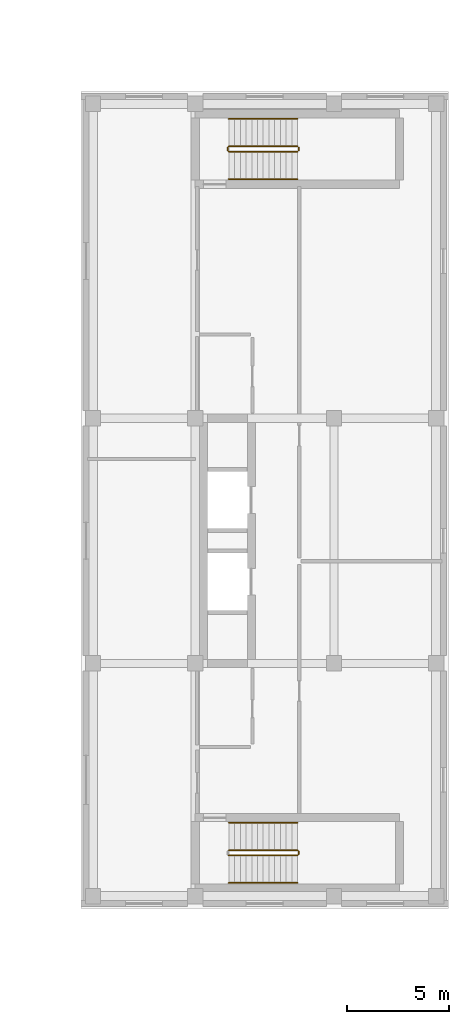
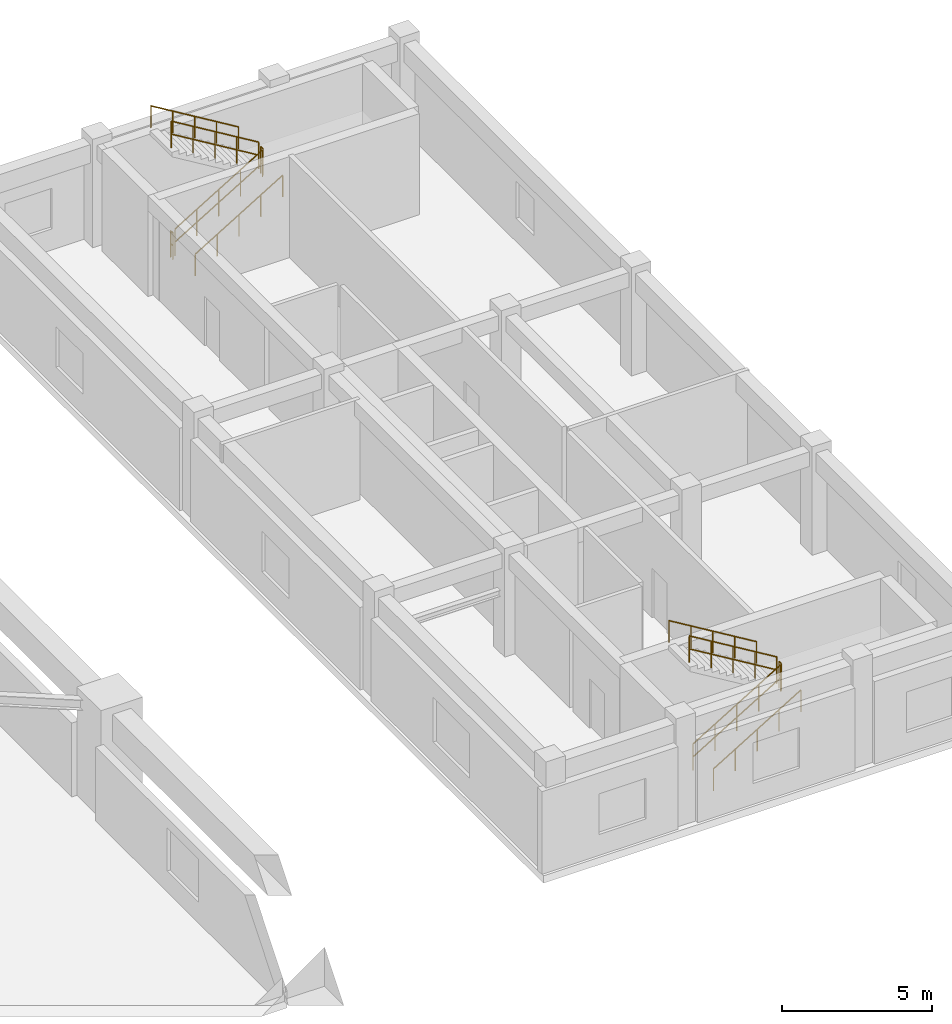
# One storey, part 16 of 16: 11 railings.
"""IFC4 building model written with IfcOpenShell, lengths in metres."""

from ifc_helpers import new_model, si_unit, direction, frame, origin, origin_2d, place, context, subcontext, project, spatial, circle, extrude, material, type_object, element, save


model = new_model("IFC4")

# Units and contexts
model_context = context("Model", 3, precision=1e-05, world=origin(), true_north=direction((0.0, 1.0)))
body_context = subcontext(model_context, "Body", "Model", "MODEL_VIEW")
ifc_project = project(units=[si_unit("LENGTHUNIT", "METRE"), si_unit("AREAUNIT", "SQUARE_METRE"), si_unit("VOLUMEUNIT", "CUBIC_METRE"), si_unit("PLANEANGLEUNIT", "RADIAN"), si_unit("MASSUNIT", "GRAM", prefix="KILO")], contexts=[model_context])

# Site, building, storey
site_placement = place(None, origin())
site = spatial("IfcSite", under=ifc_project, at=site_placement, CompositionType="ELEMENT")
building_placement = place(site_placement, origin())
building = spatial("IfcBuilding", under=site, at=building_placement, Name="Veraguas Prism Commons", CompositionType="ELEMENT")
storey_placement = place(building_placement, frame((0.0, 0.0, 9.60009765625)))
storey = spatial("IfcBuildingStorey", under=building, at=storey_placement, Name="L02", CompositionType="ELEMENT", Elevation=9.60009765625)

# Railings
ifc_material = material(Name="Stainless steel AISI 316", Category="steel")
railing_type_1 = type_object("IfcRailingType", Name="Stair and Ramp Stainless Handrail 900", PredefinedType="HANDRAIL", material=ifc_material)
railing_1_placement = place(storey_placement, frame((64.25, 5.25, 0.169189453125)))
element("IfcRailing", 1, at=railing_1_placement, inside=storey, type_object=railing_type_1, Name="Stair Handrail ST-H1 L02-1", PredefinedType="HANDRAIL", context=body_context, shape_type="SweptSolid", body=[
    extrude(circle(Radius=0.02392578125, at=origin_2d()), frame((0.0, 0.0, 0.8759765625), z_axis=(0.855836976705, 0.0, 0.517245656632), x_axis=(0.0, 1.0, 0.0)), (0.0, 0.0, 1.0), 3.926025390625),
    extrude(circle(Radius=0.02099609375, at=origin_2d()), origin(), (0.0, 0.0, 1.0), 0.851806640625),
    extrude(circle(Radius=0.02099609375, at=origin_2d()), frame((0.840087890625, 0.0, 0.5078125)), (0.0, 0.0, 1.0), 0.851806640625),
    extrude(circle(Radius=0.02099609375, at=origin_2d()), frame((1.68017578125, 0.0, 1.015380859375)), (0.0, 0.0, 1.0), 0.851806640625),
    extrude(circle(Radius=0.02099609375, at=origin_2d()), frame((2.52001953125, 0.0, 1.52294921875)), (0.0, 0.0, 1.0), 0.851806640625),
    extrude(circle(Radius=0.02099609375, at=origin_2d()), frame((3.360107421875, 0.0, 2.03076171875)), (0.0, 0.0, 1.0), 0.851806640625),
])
railing_2_placement = place(storey_placement, frame((67.610107421875, 8.199951171875, 2.369140625)))
element("IfcRailing", 2, at=railing_2_placement, inside=storey, type_object=railing_type_1, Name="Stair Handrail ST-H1 L02-2", PredefinedType="HANDRAIL", context=body_context, shape_type="SweptSolid", body=[
    extrude(circle(Radius=0.02392578125, at=origin_2d()), frame((0.0, 0.0, 0.8759765625), z_axis=(-0.855836976705, 0.0, 0.517245656632), x_axis=(0.0, -1.0, 0.0)), (0.0, 0.0, 1.0), 3.926025390625),
    extrude(circle(Radius=0.02099609375, at=origin_2d()), origin(), (0.0, 0.0, 1.0), 0.851806640625),
    extrude(circle(Radius=0.02099609375, at=origin_2d()), frame((-0.840087890625, 0.0, 0.5078125)), (0.0, 0.0, 1.0), 0.851806640625),
    extrude(circle(Radius=0.02099609375, at=origin_2d()), frame((-1.68017578125, 0.0, 1.015380859375)), (0.0, 0.0, 1.0), 0.851806640625),
    extrude(circle(Radius=0.02099609375, at=origin_2d()), frame((-2.52001953125, 0.0, 1.52294921875)), (0.0, 0.0, 1.0), 0.851806640625),
    extrude(circle(Radius=0.02099609375, at=origin_2d()), frame((-3.360107421875, 0.0, 2.03076171875)), (0.0, 0.0, 1.0), 0.851806640625),
])
railing_3_placement = place(storey_placement, frame((64.25, 39.7099609375, 0.169189453125)))
element("IfcRailing", 3, at=railing_3_placement, inside=storey, type_object=railing_type_1, Name="Stair Handrail ST-H2 L02-1", PredefinedType="HANDRAIL", context=body_context, shape_type="SweptSolid", body=[
    extrude(circle(Radius=0.02392578125, at=origin_2d()), frame((0.0, 0.0, 0.8759765625), z_axis=(0.855836976705, 0.0, 0.517245656632), x_axis=(0.0, 1.0, 0.0)), (0.0, 0.0, 1.0), 3.926025390625),
    extrude(circle(Radius=0.02099609375, at=origin_2d()), origin(), (0.0, 0.0, 1.0), 0.851806640625),
    extrude(circle(Radius=0.02099609375, at=origin_2d()), frame((0.840087890625, 0.0, 0.5078125)), (0.0, 0.0, 1.0), 0.851806640625),
    extrude(circle(Radius=0.02099609375, at=origin_2d()), frame((1.68017578125, 0.0, 1.015380859375)), (0.0, 0.0, 1.0), 0.851806640625),
    extrude(circle(Radius=0.02099609375, at=origin_2d()), frame((2.52001953125, 0.0, 1.52294921875)), (0.0, 0.0, 1.0), 0.851806640625),
    extrude(circle(Radius=0.02099609375, at=origin_2d()), frame((3.360107421875, 0.0, 2.03076171875)), (0.0, 0.0, 1.0), 0.851806640625),
])
railing_4_placement = place(storey_placement, frame((67.610107421875, 42.659912109375, 2.369140625)))
element("IfcRailing", 4, at=railing_4_placement, inside=storey, type_object=railing_type_1, Name="Stair Handrail ST-H2 L02-2", PredefinedType="HANDRAIL", context=body_context, shape_type="SweptSolid", body=[
    extrude(circle(Radius=0.02392578125, at=origin_2d()), frame((0.0, 0.0, 0.8759765625), z_axis=(-0.855836976705, 0.0, 0.517245656632), x_axis=(0.0, -1.0, 0.0)), (0.0, 0.0, 1.0), 3.926025390625),
    extrude(circle(Radius=0.02099609375, at=origin_2d()), origin(), (0.0, 0.0, 1.0), 0.851806640625),
    extrude(circle(Radius=0.02099609375, at=origin_2d()), frame((-0.840087890625, 0.0, 0.5078125)), (0.0, 0.0, 1.0), 0.851806640625),
    extrude(circle(Radius=0.02099609375, at=origin_2d()), frame((-1.68017578125, 0.0, 1.015380859375)), (0.0, 0.0, 1.0), 0.851806640625),
    extrude(circle(Radius=0.02099609375, at=origin_2d()), frame((-2.52001953125, 0.0, 1.52294921875)), (0.0, 0.0, 1.0), 0.851806640625),
    extrude(circle(Radius=0.02099609375, at=origin_2d()), frame((-3.360107421875, 0.0, 2.03076171875)), (0.0, 0.0, 1.0), 0.851806640625),
])
railing_type_2 = type_object("IfcRailingType", Name="Stairwell Safety Guardrail 1100", PredefinedType="GUARDRAIL", material=ifc_material)
railing_5_placement = place(storey_placement, frame((64.25, 6.60009765625, 0.169189453125)))
element("IfcRailing", 5, at=railing_5_placement, inside=storey, type_object=railing_type_2, Name="Stair Guard ST-H1 L02-1", PredefinedType="GUARDRAIL", context=body_context, shape_type="SweptSolid", body=[
    extrude(circle(Radius=0.02392578125, at=origin_2d()), frame((0.0, 0.0, 1.076171875), z_axis=(0.855836976705, 0.0, 0.517245656632), x_axis=(0.0, 1.0, 0.0)), (0.0, 0.0, 1.0), 3.926025390625),
    extrude(circle(Radius=0.02392578125, at=origin_2d()), frame((0.0, 0.0, 0.550048828125), z_axis=(0.855836976705, 0.0, 0.517245656632), x_axis=(0.0, 1.0, 0.0)), (0.0, 0.0, 1.0), 3.926025390625),
    extrude(circle(Radius=0.02099609375, at=origin_2d()), origin(), (0.0, 0.0, 1.0), 1.052001953125),
    extrude(circle(Radius=0.02099609375, at=origin_2d()), frame((0.840087890625, 0.0, 0.5078125)), (0.0, 0.0, 1.0), 1.052001953125),
    extrude(circle(Radius=0.02099609375, at=origin_2d()), frame((1.68017578125, 0.0, 1.015380859375)), (0.0, 0.0, 1.0), 1.052001953125),
    extrude(circle(Radius=0.02099609375, at=origin_2d()), frame((2.52001953125, 0.0, 1.52294921875)), (0.0, 0.0, 1.0), 1.052001953125),
    extrude(circle(Radius=0.02099609375, at=origin_2d()), frame((3.360107421875, 0.0, 2.03076171875)), (0.0, 0.0, 1.0), 1.052001953125),
])
railing_6_placement = place(storey_placement, frame((67.659912109375, 6.64990234375, 2.199951171875)))
element("IfcRailing", 6, at=railing_6_placement, inside=storey, type_object=railing_type_2, Name="Stair Guard ST-H1 L02-2", PredefinedType="GUARDRAIL", context=body_context, shape_type="SweptSolid", body=[
    extrude(circle(Radius=0.02392578125, at=origin_2d()), frame((0.0, 0.0, 1.076171875), z_axis=(0.0, 1.0, 0.0), x_axis=(-1.0, 0.0, 0.0)), (0.0, 0.0, 1.0), 0.150146484375),
    extrude(circle(Radius=0.02392578125, at=origin_2d()), frame((0.0, 0.0, 0.550048828125), z_axis=(0.0, 1.0, 0.0), x_axis=(-1.0, 0.0, 0.0)), (0.0, 0.0, 1.0), 0.150146484375),
    extrude(circle(Radius=0.02099609375, at=origin_2d()), origin(), (0.0, 0.0, 1.0), 1.052001953125),
    extrude(circle(Radius=0.02099609375, at=origin_2d()), frame((0.0, 0.150146484375, 0.0)), (0.0, 0.0, 1.0), 1.052001953125),
])
railing_7_placement = place(storey_placement, frame((67.610107421875, 6.85009765625, 2.369140625)))
element("IfcRailing", 7, at=railing_7_placement, inside=storey, type_object=railing_type_2, Name="Stair Guard ST-H1 L02-3", PredefinedType="GUARDRAIL", context=body_context, shape_type="SweptSolid", body=[
    extrude(circle(Radius=0.02392578125, at=origin_2d()), frame((0.0, 0.0, 1.076171875), z_axis=(-0.855836976705, 0.0, 0.517245656632), x_axis=(0.0, -1.0, 0.0)), (0.0, 0.0, 1.0), 3.926025390625),
    extrude(circle(Radius=0.02392578125, at=origin_2d()), frame((0.0, 0.0, 0.550048828125), z_axis=(-0.855836976705, 0.0, 0.517245656632), x_axis=(0.0, -1.0, 0.0)), (0.0, 0.0, 1.0), 3.926025390625),
    extrude(circle(Radius=0.02099609375, at=origin_2d()), origin(), (0.0, 0.0, 1.0), 1.052001953125),
    extrude(circle(Radius=0.02099609375, at=origin_2d()), frame((-0.840087890625, 0.0, 0.5078125)), (0.0, 0.0, 1.0), 1.052001953125),
    extrude(circle(Radius=0.02099609375, at=origin_2d()), frame((-1.68017578125, 0.0, 1.015380859375)), (0.0, 0.0, 1.0), 1.052001953125),
    extrude(circle(Radius=0.02099609375, at=origin_2d()), frame((-2.52001953125, 0.0, 1.52294921875)), (0.0, 0.0, 1.0), 1.052001953125),
    extrude(circle(Radius=0.02099609375, at=origin_2d()), frame((-3.360107421875, 0.0, 2.03076171875)), (0.0, 0.0, 1.0), 1.052001953125),
])
railing_8_placement = place(storey_placement, frame((64.25, 41.06005859375, 0.169189453125)))
element("IfcRailing", 8, at=railing_8_placement, inside=storey, type_object=railing_type_2, Name="Stair Guard ST-H2 L02-1", PredefinedType="GUARDRAIL", context=body_context, shape_type="SweptSolid", body=[
    extrude(circle(Radius=0.02392578125, at=origin_2d()), frame((0.0, 0.0, 1.076171875), z_axis=(0.855836976705, 0.0, 0.517245656632), x_axis=(0.0, 1.0, 0.0)), (0.0, 0.0, 1.0), 3.926025390625),
    extrude(circle(Radius=0.02392578125, at=origin_2d()), frame((0.0, 0.0, 0.550048828125), z_axis=(0.855836976705, 0.0, 0.517245656632), x_axis=(0.0, 1.0, 0.0)), (0.0, 0.0, 1.0), 3.926025390625),
    extrude(circle(Radius=0.02099609375, at=origin_2d()), origin(), (0.0, 0.0, 1.0), 1.052001953125),
    extrude(circle(Radius=0.02099609375, at=origin_2d()), frame((0.840087890625, 0.0, 0.5078125)), (0.0, 0.0, 1.0), 1.052001953125),
    extrude(circle(Radius=0.02099609375, at=origin_2d()), frame((1.68017578125, 0.0, 1.015380859375)), (0.0, 0.0, 1.0), 1.052001953125),
    extrude(circle(Radius=0.02099609375, at=origin_2d()), frame((2.52001953125, 0.0, 1.52294921875)), (0.0, 0.0, 1.0), 1.052001953125),
    extrude(circle(Radius=0.02099609375, at=origin_2d()), frame((3.360107421875, 0.0, 2.03076171875)), (0.0, 0.0, 1.0), 1.052001953125),
])
railing_9_placement = place(storey_placement, frame((67.659912109375, 41.110107421875, 2.199951171875)))
element("IfcRailing", 9, at=railing_9_placement, inside=storey, type_object=railing_type_2, Name="Stair Guard ST-H2 L02-2", PredefinedType="GUARDRAIL", context=body_context, shape_type="SweptSolid", body=[
    extrude(circle(Radius=0.02392578125, at=origin_2d()), frame((0.0, 0.0, 1.076171875), z_axis=(0.0, 1.0, 0.0), x_axis=(-1.0, 0.0, 0.0)), (0.0, 0.0, 1.0), 0.14990234375),
    extrude(circle(Radius=0.02392578125, at=origin_2d()), frame((0.0, 0.0, 0.550048828125), z_axis=(0.0, 1.0, 0.0), x_axis=(-1.0, 0.0, 0.0)), (0.0, 0.0, 1.0), 0.14990234375),
    extrude(circle(Radius=0.02099609375, at=origin_2d()), origin(), (0.0, 0.0, 1.0), 1.052001953125),
    extrude(circle(Radius=0.02099609375, at=origin_2d()), frame((0.0, 0.14990234375, 0.0)), (0.0, 0.0, 1.0), 1.052001953125),
])
railing_10_placement = place(storey_placement, frame((67.610107421875, 41.31005859375, 2.369140625)))
element("IfcRailing", 10, at=railing_10_placement, inside=storey, type_object=railing_type_2, Name="Stair Guard ST-H2 L02-3", PredefinedType="GUARDRAIL", context=body_context, shape_type="SweptSolid", body=[
    extrude(circle(Radius=0.02392578125, at=origin_2d()), frame((0.0, 0.0, 1.076171875), z_axis=(-0.855836976705, 0.0, 0.517245656632), x_axis=(0.0, -1.0, 0.0)), (0.0, 0.0, 1.0), 3.926025390625),
    extrude(circle(Radius=0.02392578125, at=origin_2d()), frame((0.0, 0.0, 0.550048828125), z_axis=(-0.855836976705, 0.0, 0.517245656632), x_axis=(0.0, -1.0, 0.0)), (0.0, 0.0, 1.0), 3.926025390625),
    extrude(circle(Radius=0.02099609375, at=origin_2d()), origin(), (0.0, 0.0, 1.0), 1.052001953125),
    extrude(circle(Radius=0.02099609375, at=origin_2d()), frame((-0.840087890625, 0.0, 0.5078125)), (0.0, 0.0, 1.0), 1.052001953125),
    extrude(circle(Radius=0.02099609375, at=origin_2d()), frame((-1.68017578125, 0.0, 1.015380859375)), (0.0, 0.0, 1.0), 1.052001953125),
    extrude(circle(Radius=0.02099609375, at=origin_2d()), frame((-2.52001953125, 0.0, 1.52294921875)), (0.0, 0.0, 1.0), 1.052001953125),
    extrude(circle(Radius=0.02099609375, at=origin_2d()), frame((-3.360107421875, 0.0, 2.03076171875)), (0.0, 0.0, 1.0), 1.052001953125),
])
railing_11_placement = place(storey_placement, frame((64.199951171875, 41.110107421875, 0.0)))
element("IfcRailing", 11, at=railing_11_placement, inside=storey, type_object=railing_type_2, Name="Stair Guard ST-H2 L02-4", PredefinedType="GUARDRAIL", context=body_context, shape_type="SweptSolid", body=[
    extrude(circle(Radius=0.02392578125, at=origin_2d()), frame((0.0, 0.0, 1.076171875), z_axis=(0.0, 1.0, 0.0), x_axis=(-1.0, 0.0, 0.0)), (0.0, 0.0, 1.0), 0.14990234375),
    extrude(circle(Radius=0.02392578125, at=origin_2d()), frame((0.0, 0.0, 0.550048828125), z_axis=(0.0, 1.0, 0.0), x_axis=(-1.0, 0.0, 0.0)), (0.0, 0.0, 1.0), 0.14990234375),
    extrude(circle(Radius=0.02099609375, at=origin_2d()), origin(), (0.0, 0.0, 1.0), 1.052001953125),
    extrude(circle(Radius=0.02099609375, at=origin_2d()), frame((0.0, 0.14990234375, 0.0)), (0.0, 0.0, 1.0), 1.052001953125),
])

save(model, "model.ifc")
